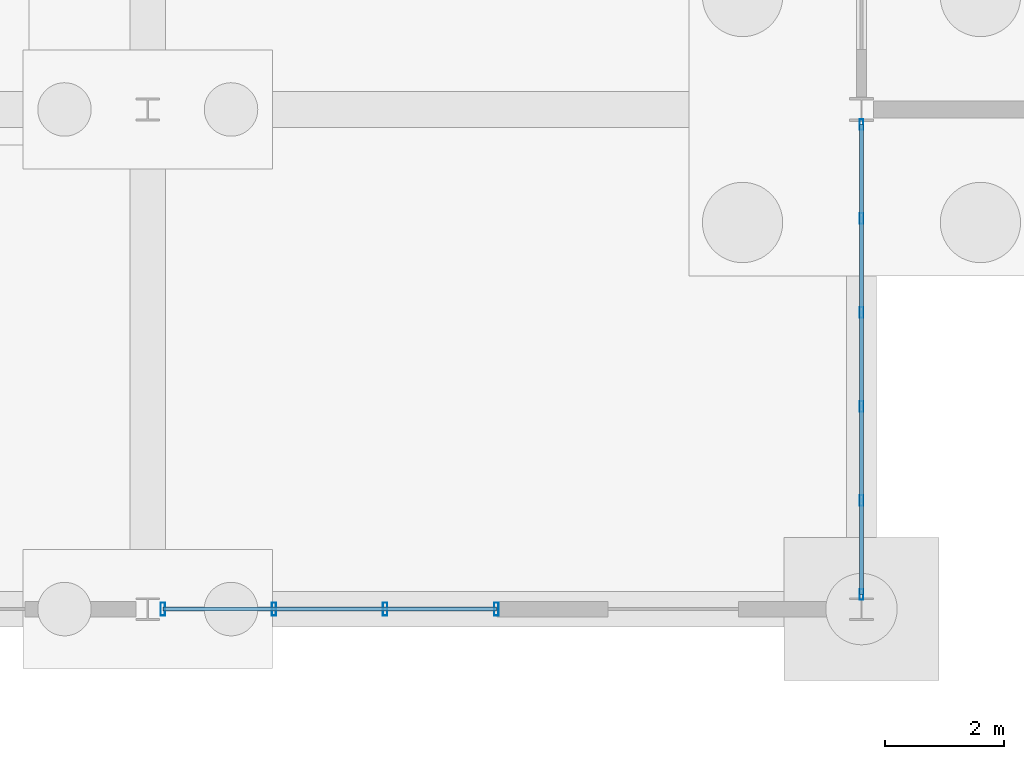
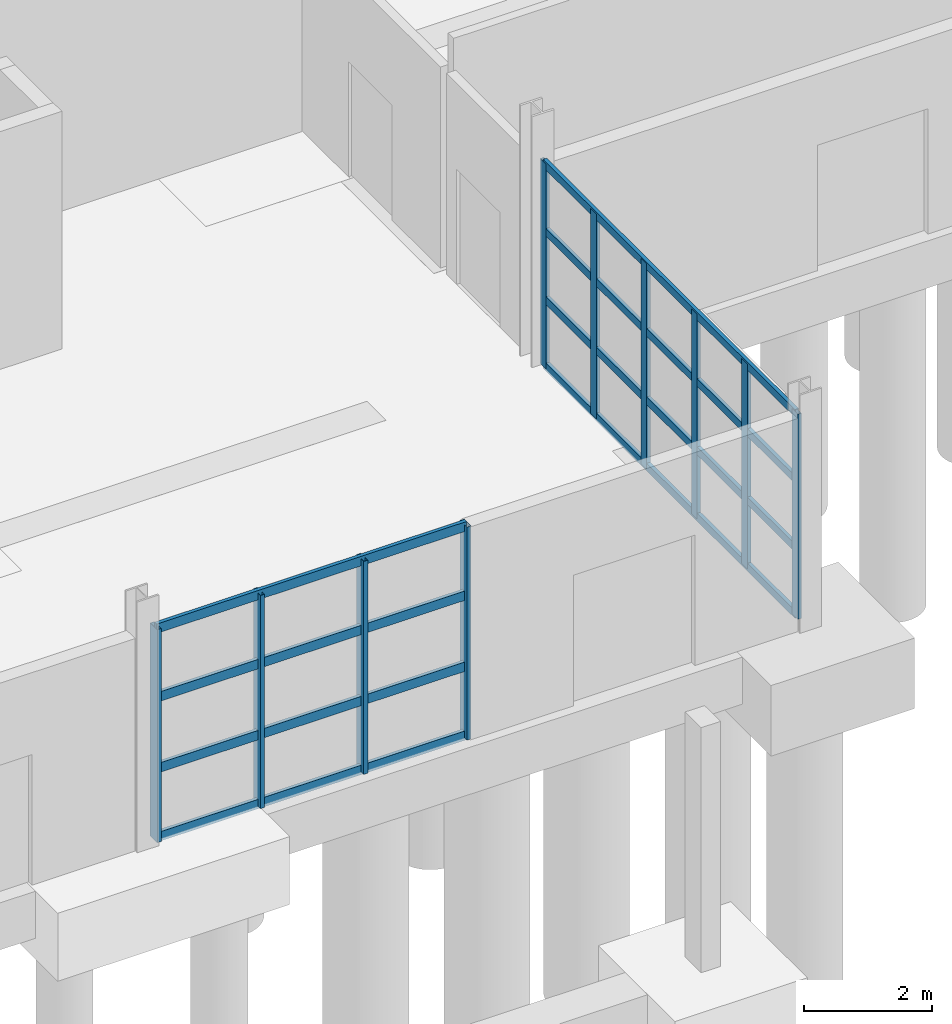
# One storey, part 27 of 82: 18 members, 2 elements without a shape of their own.
"""IFC4 building model written with IfcOpenShell, lengths in metres."""

from ifc_helpers import new_model, si_unit, direction, frame, origin, origin_2d, place, context, subcontext, project, spatial, hollow_rectangle, extrude, material, material_profile, profile_set, type_object, element, aggregate, save


model = new_model("IFC4")

# Units and contexts
model_context = context("Model", 3, precision=1e-05, world=origin(), true_north=direction((0.0, 1.0)))
body_context = subcontext(model_context, "Body", "Model", "MODEL_VIEW")
ifc_project = project(units=[si_unit("LENGTHUNIT", "METRE"), si_unit("AREAUNIT", "SQUARE_METRE"), si_unit("VOLUMEUNIT", "CUBIC_METRE"), si_unit("PLANEANGLEUNIT", "RADIAN"), si_unit("MASSUNIT", "GRAM", prefix="KILO")], contexts=[model_context])

# Site, building, storey
site_placement = place(None, origin())
site = spatial("IfcSite", under=ifc_project, at=site_placement, CompositionType="ELEMENT")
building_placement = place(site_placement, origin())
building = spatial("IfcBuilding", under=site, at=building_placement, Name="Kelmvaro Bay Concert Hall", CompositionType="ELEMENT")
storey_placement = place(building_placement, origin())
storey = spatial("IfcBuildingStorey", under=building, at=storey_placement, Name="L00", CompositionType="ELEMENT", Elevation=0.0)

# Curtain wall, members
ifc_material_1 = material(Name="Anodised Aluminium and Low-E Insulated Glazing", Category="aluminium")
curtain_wall_type = type_object("IfcCurtainWallType", Name="Foyer Ground Hurricane Curtain Wall 4400", PredefinedType="USERDEFINED", material=ifc_material_1)
curtain_wall_1_placement = place(storey_placement, origin())
curtain_wall_1 = element("IfcCurtainWall", 1, at=curtain_wall_1_placement, inside=storey, type_object=curtain_wall_type, Name="Unitised Curtain Wall CW-L00-046", ObjectType="UNITISED GLAZING", PredefinedType="USERDEFINED")
ifc_material_2 = material(Name="Anodised Extruded Aluminium 6063-T6", Category="aluminium")
ifc_material_profile_1 = material_profile(ifc_material_2, hollow_rectangle(XDim=0.06494140625, YDim=0.179931640625, WallThickness=0.00390625, at=origin_2d()), Name="ALU-MUL-180X65")
ifc_profile_set_1 = profile_set([ifc_material_profile_1], Name="Anodised Extruded Aluminium 6063-T6")
member_type_1 = type_object("IfcMemberType", Name="Curtain Mullion ALU 180x65", PredefinedType="MULLION", material=ifc_profile_set_1)
member_1_placement = place(storey_placement, frame((120.0, 15.345458984375, 0.0), z_axis=(0.0, 0.0, 1.0), x_axis=(1.0, 0.0, 0.0)))
member_1 = element("IfcMember", 2, at=member_1_placement, type_object=member_type_1, Name="CW-L00-046 Mullion 01", PredefinedType="MULLION", context=body_context, shape_type="SweptSolid", body=[
    extrude(hollow_rectangle(XDim=0.06494140625, YDim=0.179931640625, WallThickness=0.00390625, at=origin_2d()), origin(), (0.0, 0.0, 1.0), 3.927978515625),
])
member_2_placement = place(storey_placement, frame((120.0, 13.765380859375, 0.0), z_axis=(0.0, 0.0, 1.0), x_axis=(1.0, 0.0, 0.0)))
member_2 = element("IfcMember", 3, at=member_2_placement, type_object=member_type_1, Name="CW-L00-046 Mullion 02", PredefinedType="MULLION", context=body_context, shape_type="SweptSolid", body=[
    extrude(hollow_rectangle(XDim=0.06494140625, YDim=0.179931640625, WallThickness=0.00390625, at=origin_2d()), origin(), (0.0, 0.0, 1.0), 3.927978515625),
])
member_3_placement = place(storey_placement, frame((120.0, 12.185546875, 0.0), z_axis=(0.0, 0.0, 1.0), x_axis=(1.0, 0.0, 0.0)))
member_3 = element("IfcMember", 4, at=member_3_placement, type_object=member_type_1, Name="CW-L00-046 Mullion 03", PredefinedType="MULLION", context=body_context, shape_type="SweptSolid", body=[
    extrude(hollow_rectangle(XDim=0.06494140625, YDim=0.179931640625, WallThickness=0.00390625, at=origin_2d()), origin(), (0.0, 0.0, 1.0), 3.927978515625),
])
member_4_placement = place(storey_placement, frame((120.0, 10.60546875, 0.0), z_axis=(0.0, 0.0, 1.0), x_axis=(1.0, 0.0, 0.0)))
member_4 = element("IfcMember", 5, at=member_4_placement, type_object=member_type_1, Name="CW-L00-046 Mullion 04", PredefinedType="MULLION", context=body_context, shape_type="SweptSolid", body=[
    extrude(hollow_rectangle(XDim=0.06494140625, YDim=0.179931640625, WallThickness=0.00390625, at=origin_2d()), origin(), (0.0, 0.0, 1.0), 3.927978515625),
])
member_5_placement = place(storey_placement, frame((120.0, 9.025390625, 0.0), z_axis=(0.0, 0.0, 1.0), x_axis=(1.0, 0.0, 0.0)))
member_5 = element("IfcMember", 6, at=member_5_placement, type_object=member_type_1, Name="CW-L00-046 Mullion 05", PredefinedType="MULLION", context=body_context, shape_type="SweptSolid", body=[
    extrude(hollow_rectangle(XDim=0.06494140625, YDim=0.179931640625, WallThickness=0.00390625, at=origin_2d()), origin(), (0.0, 0.0, 1.0), 3.927978515625),
])
member_6_placement = place(storey_placement, frame((120.0, 7.445556640625, 0.0), z_axis=(0.0, 0.0, 1.0), x_axis=(1.0, 0.0, 0.0)))
member_6 = element("IfcMember", 7, at=member_6_placement, type_object=member_type_1, Name="CW-L00-046 Mullion 06", PredefinedType="MULLION", context=body_context, shape_type="SweptSolid", body=[
    extrude(hollow_rectangle(XDim=0.06494140625, YDim=0.179931640625, WallThickness=0.00390625, at=origin_2d()), origin(), (0.0, 0.0, 1.0), 3.927978515625),
])

curtain_wall_2_placement = place(storey_placement, origin())
curtain_wall_2 = element("IfcCurtainWall", 8, at=curtain_wall_2_placement, inside=storey, type_object=curtain_wall_type, Name="Unitised Curtain Wall CW-L00-045", ObjectType="UNITISED GLAZING", PredefinedType="USERDEFINED")
ifc_material_3 = material(Name="Anodised Extruded Aluminium 6063-T6", Category="aluminium")
ifc_material_profile_2 = material_profile(ifc_material_3, hollow_rectangle(XDim=0.074951171875, YDim=0.219970703125, WallThickness=0.00439453125, at=origin_2d()), Name="ALU-MUL-220X75")
ifc_profile_set_2 = profile_set([ifc_material_profile_2], Name="Anodised Extruded Aluminium 6063-T6")
member_type_2 = type_object("IfcMemberType", Name="Curtain Mullion Heavy ALU 220x75", PredefinedType="MULLION", material=ifc_profile_set_2)
member_7_placement = place(storey_placement, frame((113.860107421875, 7.199951171875, 0.0), z_axis=(0.0, 0.0, 1.0), x_axis=(1.0, 0.0, 0.0)))
member_7 = element("IfcMember", 9, at=member_7_placement, type_object=member_type_2, Name="CW-L00-045 Mullion 01", PredefinedType="MULLION", context=body_context, shape_type="SweptSolid", body=[
    extrude(hollow_rectangle(XDim=0.074951171875, YDim=0.219970703125, WallThickness=0.00439453125, at=origin_2d()), origin(), (0.0, 0.0, 1.0), 4.077880859375),
])
member_8_placement = place(storey_placement, frame((111.990966796875, 7.199951171875, 0.0), z_axis=(0.0, 0.0, 1.0), x_axis=(1.0, 0.0, 0.0)))
member_8 = element("IfcMember", 10, at=member_8_placement, type_object=member_type_2, Name="CW-L00-045 Mullion 02", PredefinedType="MULLION", context=body_context, shape_type="SweptSolid", body=[
    extrude(hollow_rectangle(XDim=0.074951171875, YDim=0.219970703125, WallThickness=0.00439453125, at=origin_2d()), origin(), (0.0, 0.0, 1.0), 4.077880859375),
])
member_9_placement = place(storey_placement, frame((110.1220703125, 7.199951171875, 0.0), z_axis=(0.0, 0.0, 1.0), x_axis=(1.0, 0.0, 0.0)))
member_9 = element("IfcMember", 11, at=member_9_placement, type_object=member_type_2, Name="CW-L00-045 Mullion 03", PredefinedType="MULLION", context=body_context, shape_type="SweptSolid", body=[
    extrude(hollow_rectangle(XDim=0.074951171875, YDim=0.219970703125, WallThickness=0.00439453125, at=origin_2d()), origin(), (0.0, 0.0, 1.0), 4.077880859375),
])
member_10_placement = place(storey_placement, frame((108.2529296875, 7.199951171875, 0.0), z_axis=(0.0, 0.0, 1.0), x_axis=(1.0, 0.0, 0.0)))
member_10 = element("IfcMember", 12, at=member_10_placement, type_object=member_type_2, Name="CW-L00-045 Mullion 04", PredefinedType="MULLION", context=body_context, shape_type="SweptSolid", body=[
    extrude(hollow_rectangle(XDim=0.074951171875, YDim=0.219970703125, WallThickness=0.00439453125, at=origin_2d()), origin(), (0.0, 0.0, 1.0), 4.077880859375),
])

# Member
ifc_material_4 = material(Name="Anodised Extruded Aluminium 6063-T6", Category="aluminium")
ifc_material_profile_3 = material_profile(ifc_material_4, hollow_rectangle(XDim=0.06494140625, YDim=0.14990234375, WallThickness=0.00390625, at=origin_2d()), Name="ALU-TRN-150X65")
ifc_profile_set_3 = profile_set([ifc_material_profile_3], Name="Anodised Extruded Aluminium 6063-T6")
member_type_3 = type_object("IfcMemberType", Name="Curtain Transom ALU 150x65", PredefinedType="USERDEFINED", material=ifc_profile_set_3)
member_11_placement = place(storey_placement, frame((120.0, 15.345458984375, 0.0400390625), z_axis=(0.0, -1.0, 0.0), x_axis=(1.0, 0.0, 0.0)))
member_11 = element("IfcMember", 13, at=member_11_placement, type_object=member_type_3, Name="CW-L00-046 Transom 01", ObjectType="TRANSOM", PredefinedType="USERDEFINED", context=body_context, shape_type="SweptSolid", body=[
    extrude(hollow_rectangle(XDim=0.06494140625, YDim=0.14990234375, WallThickness=0.00390625, at=origin_2d()), origin(), (0.0, 0.0, 1.0), 7.89990234375),
])

member_12_placement = place(storey_placement, frame((120.0, 15.345458984375, 1.309326171875), z_axis=(0.0, -1.0, 0.0), x_axis=(1.0, 0.0, 0.0)))
member_12 = element("IfcMember", 14, at=member_12_placement, type_object=member_type_3, Name="CW-L00-046 Transom 02", ObjectType="TRANSOM", PredefinedType="USERDEFINED", context=body_context, shape_type="SweptSolid", body=[
    extrude(hollow_rectangle(XDim=0.06494140625, YDim=0.14990234375, WallThickness=0.00390625, at=origin_2d()), origin(), (0.0, 0.0, 1.0), 7.89990234375),
])

member_13_placement = place(storey_placement, frame((120.0, 15.345458984375, 2.61865234375), z_axis=(0.0, -1.0, 0.0), x_axis=(1.0, 0.0, 0.0)))
member_13 = element("IfcMember", 15, at=member_13_placement, type_object=member_type_3, Name="CW-L00-046 Transom 03", ObjectType="TRANSOM", PredefinedType="USERDEFINED", context=body_context, shape_type="SweptSolid", body=[
    extrude(hollow_rectangle(XDim=0.06494140625, YDim=0.14990234375, WallThickness=0.00390625, at=origin_2d()), origin(), (0.0, 0.0, 1.0), 7.89990234375),
])

member_14_placement = place(storey_placement, frame((120.0, 15.345458984375, 3.887939453125), z_axis=(0.0, -1.0, 0.0), x_axis=(1.0, 0.0, 0.0)))
member_14 = element("IfcMember", 16, at=member_14_placement, type_object=member_type_3, Name="CW-L00-046 Transom 04", ObjectType="TRANSOM", PredefinedType="USERDEFINED", context=body_context, shape_type="SweptSolid", body=[
    extrude(hollow_rectangle(XDim=0.06494140625, YDim=0.14990234375, WallThickness=0.00390625, at=origin_2d()), origin(), (0.0, 0.0, 1.0), 7.89990234375),
])

aggregate(curtain_wall_1, [member_1, member_2, member_3, member_4, member_5, member_6, member_11, member_12, member_13, member_14])

ifc_material_5 = material(Name="Anodised Extruded Aluminium 6063-T6", Category="aluminium")
ifc_material_profile_4 = material_profile(ifc_material_5, hollow_rectangle(XDim=0.06494140625, YDim=0.179931640625, WallThickness=0.00439453125, at=origin_2d()), Name="ALU-TRN-180X65")
ifc_profile_set_4 = profile_set([ifc_material_profile_4], Name="Anodised Extruded Aluminium 6063-T6")
member_type_4 = type_object("IfcMemberType", Name="Curtain Transom Heavy ALU 180x65", PredefinedType="USERDEFINED", material=ifc_profile_set_4)
member_15_placement = place(storey_placement, frame((113.860107421875, 7.199951171875, 0.0400390625), z_axis=(-1.0, 0.0, 0.0), x_axis=(0.0, -1.0, 0.0)))
member_15 = element("IfcMember", 17, at=member_15_placement, type_object=member_type_4, Name="CW-L00-045 Transom 01", ObjectType="TRANSOM", PredefinedType="USERDEFINED", context=body_context, shape_type="SweptSolid", body=[
    extrude(hollow_rectangle(XDim=0.06494140625, YDim=0.179931640625, WallThickness=0.00439453125, at=origin_2d()), origin(), (0.0, 0.0, 1.0), 5.607177734375),
])

member_16_placement = place(storey_placement, frame((113.860107421875, 7.199951171875, 1.359375), z_axis=(-1.0, 0.0, 0.0), x_axis=(0.0, -1.0, 0.0)))
member_16 = element("IfcMember", 18, at=member_16_placement, type_object=member_type_4, Name="CW-L00-045 Transom 02", ObjectType="TRANSOM", PredefinedType="USERDEFINED", context=body_context, shape_type="SweptSolid", body=[
    extrude(hollow_rectangle(XDim=0.06494140625, YDim=0.179931640625, WallThickness=0.00439453125, at=origin_2d()), origin(), (0.0, 0.0, 1.0), 5.607177734375),
])

member_17_placement = place(storey_placement, frame((113.860107421875, 7.199951171875, 2.71875), z_axis=(-1.0, 0.0, 0.0), x_axis=(0.0, -1.0, 0.0)))
member_17 = element("IfcMember", 19, at=member_17_placement, type_object=member_type_4, Name="CW-L00-045 Transom 03", ObjectType="TRANSOM", PredefinedType="USERDEFINED", context=body_context, shape_type="SweptSolid", body=[
    extrude(hollow_rectangle(XDim=0.06494140625, YDim=0.179931640625, WallThickness=0.00439453125, at=origin_2d()), origin(), (0.0, 0.0, 1.0), 5.607177734375),
])

member_18_placement = place(storey_placement, frame((113.860107421875, 7.199951171875, 4.0380859375), z_axis=(-1.0, 0.0, 0.0), x_axis=(0.0, -1.0, 0.0)))
member_18 = element("IfcMember", 20, at=member_18_placement, type_object=member_type_4, Name="CW-L00-045 Transom 04", ObjectType="TRANSOM", PredefinedType="USERDEFINED", context=body_context, shape_type="SweptSolid", body=[
    extrude(hollow_rectangle(XDim=0.06494140625, YDim=0.179931640625, WallThickness=0.00439453125, at=origin_2d()), origin(), (0.0, 0.0, 1.0), 5.607177734375),
])

aggregate(curtain_wall_2, [member_7, member_8, member_9, member_10, member_15, member_16, member_17, member_18])

save(model, "model.ifc")
